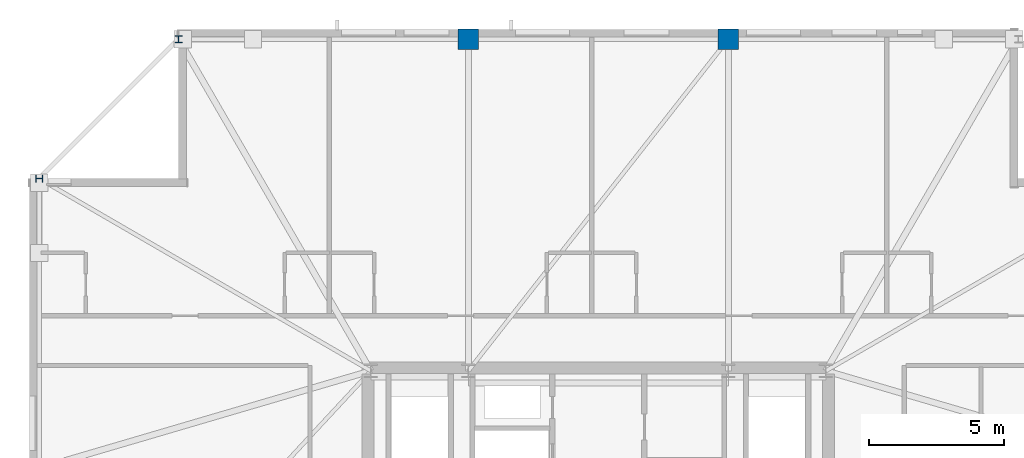
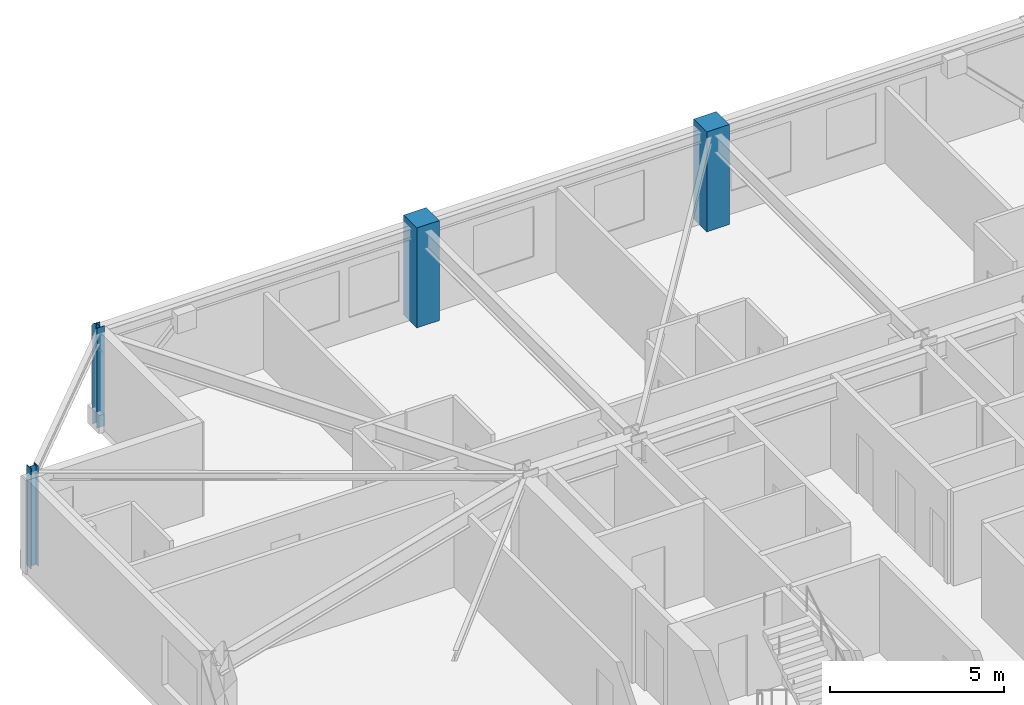
# One storey, part 4 of 14: 4 columns.
"""IFC4 building model written with IfcOpenShell, lengths in metres."""

import ifcopenshell
import ifcopenshell.guid

model = None  # the IFC model being written
_history = None  # IfcOwnerHistory: only IFC2X3 demands one
_inside = {}  # id of a spatial element -> (the spatial element, [elements in it])
_under = {}  # id of a project, library or spatial element -> (it, [spatial elements below it])
_declared = {}  # id of a project -> (the project, [libraries it declares])
_typed = {}  # id of a type object -> (the type object, [elements of that type])
_made_of = {}  # id of a material, layer set ... -> (it, [elements and type objects made of it])


def new_model(schema):
    """Start an empty IFC model of exactly this schema.

    Asked for "IFC4X3", IfcOpenShell would pick the latest addendum, in which some entities
    have other attributes; the version numbers below select the first issue.
    IFC2X3 requires an IfcOwnerHistory on every rooted entity: one is made here for all.
    """
    global model, _history
    if schema == "IFC4X3":
        model = ifcopenshell.file(schema_version=(4, 3, 0, 0))
    else:
        model = ifcopenshell.file(schema=schema)
    _inside.clear()
    _under.clear()
    _declared.clear()
    _typed.clear()
    _made_of.clear()
    _history = None
    if model.schema == "IFC2X3":
        org = make("IfcOrganization", Name="unknown")
        user = make(
            "IfcPersonAndOrganization",
            ThePerson=make("IfcPerson", FamilyName="unknown"),
            TheOrganization=org,
        )
        app = make(
            "IfcApplication",
            ApplicationDeveloper=org,
            Version="unknown",
            ApplicationFullName="unknown",
            ApplicationIdentifier="unknown",
        )
        _history = make(
            "IfcOwnerHistory",
            OwningUser=user,
            OwningApplication=app,
            ChangeAction="ADDED",
            CreationDate=0,
        )
    return model


def make(cls, **values):
    """One entity of the class cls with the attributes given. An attribute that is None is left unset."""
    return model.create_entity(
        cls, **{name: value for name, value in values.items() if value is not None}
    )


def rooted(cls, **values):
    """An entity with a GlobalId (a new one), such as an element, a storey or a relation."""
    return make(cls, GlobalId=ifcopenshell.guid.new(), OwnerHistory=_history, **values)


def si_unit(unit_type, name, prefix=None):
    """IfcSIUnit, for example si_unit("LENGTHUNIT", "METRE", prefix="MILLI")."""
    return make("IfcSIUnit", UnitType=unit_type, Prefix=prefix, Name=name)


def assignment(units):
    """IfcUnitAssignment: the units of a project."""
    return None if units is None else make("IfcUnitAssignment", Units=units)


def point(xyz):
    """IfcCartesianPoint."""
    return None if xyz is None else make("IfcCartesianPoint", Coordinates=xyz)


def direction(xyz):
    """IfcDirection."""
    return None if xyz is None else make("IfcDirection", DirectionRatios=xyz)


def frame(location, z_axis=None, x_axis=None):
    """IfcAxis2Placement3D, a coordinate frame: its origin and axes. An axis left out is left unset."""
    return make(
        "IfcAxis2Placement3D",
        Location=point(location),
        Axis=direction(z_axis),
        RefDirection=direction(x_axis),
    )


def frame_2d(location, x_axis=None):
    """IfcAxis2Placement2D, a coordinate frame in the plane: its origin and x axis."""
    return make(
        "IfcAxis2Placement2D", Location=point(location), RefDirection=direction(x_axis)
    )


def origin():
    """The frame at (0, 0, 0) with its axes left unset."""
    return frame((0.0, 0.0, 0.0))


def origin_2d():
    """The frame at (0, 0) in the plane with its x axis left unset."""
    return frame_2d((0.0, 0.0))


def place(relative_to, where):
    """IfcLocalPlacement: puts the frame where relative to a parent placement (None: the world)."""
    return make(
        "IfcLocalPlacement", PlacementRelTo=relative_to, RelativePlacement=where
    )


def context(
    kind, dimensions, precision=None, world=None, true_north=None, identifier=None
):
    """IfcGeometricRepresentationContext, for example the 3D "Model" context."""
    return make(
        "IfcGeometricRepresentationContext",
        ContextIdentifier=identifier,
        ContextType=kind,
        CoordinateSpaceDimension=dimensions,
        Precision=precision,
        WorldCoordinateSystem=world,
        TrueNorth=true_north,
    )


def subcontext(parent, identifier, kind, view, scale=None):
    """IfcGeometricRepresentationSubContext, for example "Body" below "Model"."""
    return make(
        "IfcGeometricRepresentationSubContext",
        ContextIdentifier=identifier,
        ContextType=kind,
        ParentContext=parent,
        TargetScale=scale,
        TargetView=view,
    )


def project(units=None, contexts=None):
    """IfcProject with its units and contexts."""
    return rooted(
        "IfcProject",
        Name="project",
        RepresentationContexts=contexts,
        UnitsInContext=assignment(units),
    )


def spatial(cls, under=None, at=None, **own):
    """A site, building, storey or space (cls), placed at a placement, below another one or the project."""
    s = rooted(cls, ObjectPlacement=at, **own)
    if under is not None:
        _under.setdefault(under.id(), (under, []))[1].append(s)
    return s


def profile(cls, at=None, kind="AREA", **sizes):
    """A parametric profile (cls). Its sizes go by their IFC names, for example OverallWidth=200.0."""
    return make(cls, ProfileType=kind, Position=at, **sizes)


def rectangle(**sizes):
    """IfcRectangleProfileDef."""
    return profile("IfcRectangleProfileDef", **sizes)


def i_section(**sizes):
    """IfcIShapeProfileDef."""
    return profile("IfcIShapeProfileDef", **sizes)


def extrude(swept, where, along, depth):
    """IfcExtrudedAreaSolid: the profile swept, set in the frame where, extruded along a direction by depth."""
    return make(
        "IfcExtrudedAreaSolid",
        SweptArea=swept,
        Position=where,
        ExtrudedDirection=direction(along),
        Depth=depth,
    )


def shape(context_of_items, identifier, shape_type, items):
    """IfcShapeRepresentation: the items that make up one representation, for example the "Body"."""
    return make(
        "IfcShapeRepresentation",
        ContextOfItems=context_of_items,
        RepresentationIdentifier=identifier,
        RepresentationType=shape_type,
        Items=items,
    )


def material(Name=None, Category=None):
    """IfcMaterial."""
    return make("IfcMaterial", Name=Name, Category=Category)


def material_profile(
    of_material, cross_section, Name=None, Category=None, Priority=None
):
    """IfcMaterialProfile: a cross section and its material."""
    return make(
        "IfcMaterialProfile",
        Name=Name,
        Material=of_material,
        Profile=cross_section,
        Priority=Priority,
        Category=Category,
    )


def profile_set(profiles, Name=None, composite=None):
    """IfcMaterialProfileSet."""
    return make(
        "IfcMaterialProfileSet",
        Name=Name,
        MaterialProfiles=profiles,
        CompositeProfile=composite,
    )


def made_of(thing, what):
    """Note that an element or type object is made of a material, layer set ...; save() writes the relation."""
    if what is not None:
        _made_of.setdefault(what.id(), (what, []))[1].append(thing)
    return thing


def type_object(cls, material=None, **own):
    """A type object (cls), such as IfcWallType, which elements share."""
    return made_of(rooted(cls, **own), material)


def element(
    cls,
    number,
    at=None,
    inside=None,
    cuts=None,
    type_object=None,
    material=None,
    context=None,
    identifier="Body",
    shape_type=None,
    held_by="IfcProductDefinitionShape",
    body=None,
    shapes=None,
    **own,
):
    """One element of the class cls, such as IfcWall. Its Tag is "e" and its number.

    at: its placement. inside: the storey or other place that contains it. cuts: it is an
    opening in that element (IfcRelVoidsElement). A single representation is given by context,
    identifier, shape_type and body (its items); several are given by shapes. held_by: the class
    of the entity that holds the representations. save() writes the other relations.
    """
    e = rooted(cls, Tag="e%d" % number, ObjectPlacement=at, **own)
    if body is not None:
        shapes = [shape(context, identifier, shape_type, body)]
    if shapes is not None:
        e.Representation = make(held_by, Representations=shapes)
    if inside is not None:
        _inside.setdefault(inside.id(), (inside, []))[1].append(e)
    if cuts is not None:
        rooted(
            "IfcRelVoidsElement", RelatingBuildingElement=cuts, RelatedOpeningElement=e
        )
    if type_object is not None:
        _typed.setdefault(type_object.id(), (type_object, []))[1].append(e)
    return made_of(e, material)


def aggregate(whole, parts):
    """IfcRelAggregates: a whole, such as a stair, and the parts it consists of."""
    return rooted("IfcRelAggregates", RelatingObject=whole, RelatedObjects=parts)


def save(model, path):
    """Write the relations noted so far, then the file.

    IfcRelAggregates (storeys below a building ...), IfcRelContainedInSpatialStructure (elements
    in a storey), IfcRelDefinesByType, IfcRelAssociatesMaterial and IfcRelDeclares: one each for
    every whole, place, type object, material and project.
    """
    for whole, parts in _under.values():
        aggregate(whole, parts)
    for where, things in _inside.values():
        rooted(
            "IfcRelContainedInSpatialStructure",
            RelatedElements=things,
            RelatingStructure=where,
        )
    for kind, things in _typed.values():
        rooted("IfcRelDefinesByType", RelatedObjects=things, RelatingType=kind)
    for what, things in _made_of.values():
        rooted("IfcRelAssociatesMaterial", RelatedObjects=things, RelatingMaterial=what)
    for by, libraries in _declared.values():
        rooted("IfcRelDeclares", RelatingContext=by, RelatedDefinitions=libraries)
    model.write(path)


model = new_model("IFC4")

# Units and contexts
model_context = context("Model", 3, precision=1e-05, world=origin(), true_north=direction((0.0, 1.0)))
body_context = subcontext(model_context, "Body", "Model", "MODEL_VIEW")
ifc_project = project(units=[si_unit("LENGTHUNIT", "METRE"), si_unit("AREAUNIT", "SQUARE_METRE"), si_unit("VOLUMEUNIT", "CUBIC_METRE"), si_unit("PLANEANGLEUNIT", "RADIAN"), si_unit("MASSUNIT", "GRAM", prefix="KILO")], contexts=[model_context])

# Site, building, storey
site_placement = place(None, origin())
site = spatial("IfcSite", under=ifc_project, at=site_placement, CompositionType="ELEMENT")
building_placement = place(site_placement, origin())
building = spatial("IfcBuilding", under=site, at=building_placement, Name="Cairnveth Concourse Tower", CompositionType="ELEMENT")
storey_placement = place(building_placement, frame((0.0, 0.0, 308.5)))
storey = spatial("IfcBuildingStorey", under=building, at=storey_placement, Name="L85", CompositionType="ELEMENT", Elevation=308.5)

# Columns
ifc_material_1 = material(Name="Concrete N50 (50 MPa)", Category="concrete")
ifc_material_profile_1 = material_profile(ifc_material_1, rectangle(XDim=0.75, YDim=0.75, at=origin_2d()), Name="RC-COL-750x750")
ifc_profile_set_1 = profile_set([ifc_material_profile_1], Name="Concrete N50 (50 MPa)")
column_type_1 = type_object("IfcColumnType", Name="PERIMETER PIER COLUMN 750X750", PredefinedType="COLUMN", material=ifc_profile_set_1)
for number, where, z_axis, x_axis, name in (
    (1, (56.800048828125, 59.64990234375, 0.0), (0.0, 0.0, 1.0), (1.0, 0.0, 0.0), "Column P-N2 L85"),
    (2, (47.199951171875, 59.64990234375, 0.0), (0.0, 0.0, 1.0), (1.0, 0.0, 0.0), "Column P-N3 L85"),
):
    element("IfcColumn", number, at=place(storey_placement, frame(where, z_axis=z_axis, x_axis=x_axis)), inside=storey, type_object=column_type_1, Name=name, PredefinedType="COLUMN", context=body_context, shape_type="SweptSolid", body=[
        extrude(rectangle(XDim=0.75, YDim=0.75, at=origin_2d()), origin(), (0.0, 0.0, 1.0), 3.5),
    ])
ifc_material_2 = material(Name="Steel Grade 350", Category="steel")
ifc_material_profile_2 = material_profile(ifc_material_2, i_section(OverallWidth=0.25390625, OverallDepth=0.25390625, WebThickness=0.008544921875, FlangeThickness=0.01416015625, FilletRadius=0.012939453125, at=origin_2d()), Name="250UC72.9")
ifc_profile_set_2 = profile_set([ifc_material_profile_2], Name="Steel Grade 350")
column_type_2 = type_object("IfcColumnType", Name="UNIVERSAL STEEL COLUMN 250UC72.9", PredefinedType="COLUMN", material=ifc_profile_set_2)
for number, where, z_axis, x_axis, name in (
    (3, (36.5, 59.64990234375, 0.0), (0.0, 0.0, 1.0), (1.0, 0.0, 0.0), "Column P-N4 L85"),
    (4, (31.35009765625, 54.5, 0.0), (0.0, 0.0, 1.0), (0.0, 1.0, 0.0), "Column P-W1 L85"),
):
    element("IfcColumn", number, at=place(storey_placement, frame(where, z_axis=z_axis, x_axis=x_axis)), inside=storey, type_object=column_type_2, Name=name, PredefinedType="COLUMN", context=body_context, shape_type="SweptSolid", body=[
        extrude(i_section(OverallWidth=0.25390625, OverallDepth=0.25390625, WebThickness=0.008544921875, FlangeThickness=0.01416015625, FilletRadius=0.012939453125, at=origin_2d()), origin(), (0.0, 0.0, 1.0), 3.5),
    ])

save(model, "model.ifc")
